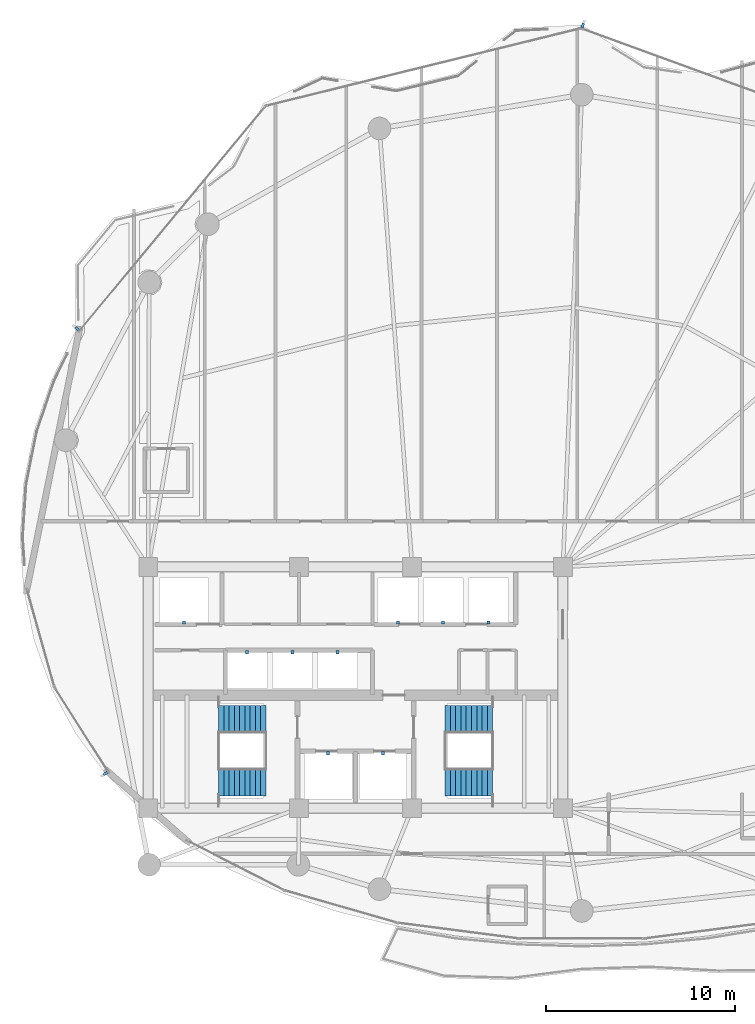
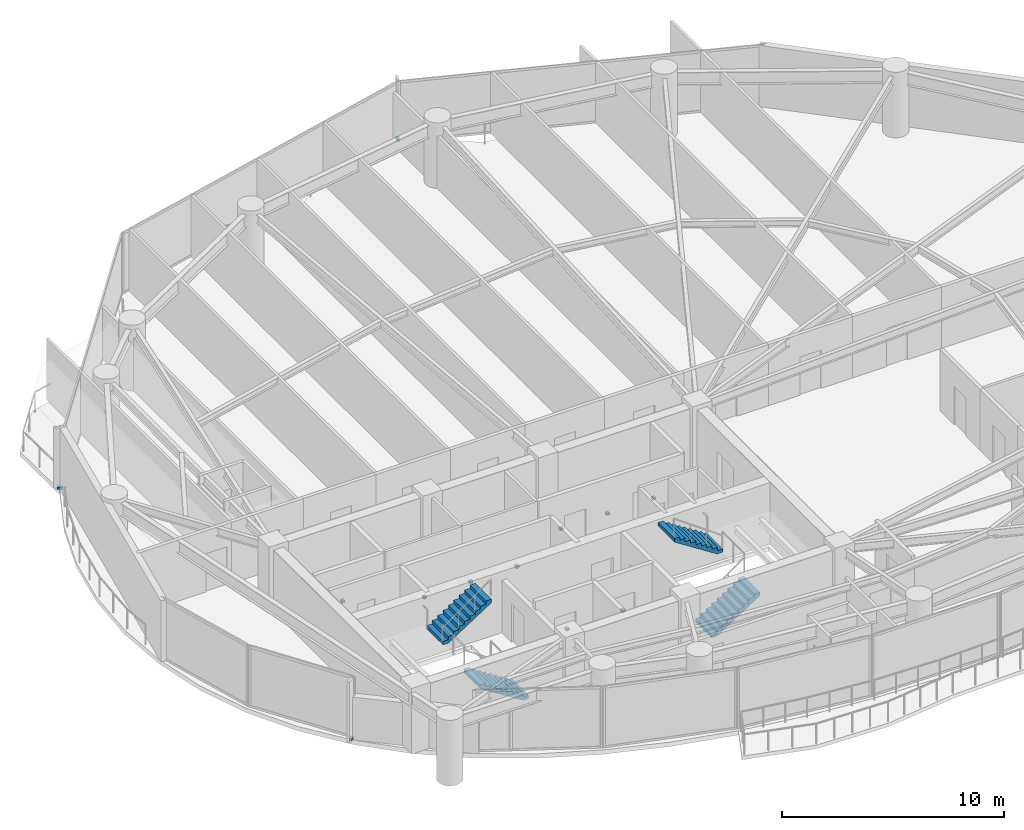
# One storey, part 25 of 28: 12 discrete accessories, 4 stair flights, 2 elements without a shape of their own.
"""IFC4 building model written with IfcOpenShell, lengths in metres."""

from ifc_helpers import new_model, si_unit, direction, frame, origin, origin_2d, place, context, subcontext, project, spatial, polyline, rectangle, outline, extrude, material, layer, layer_set, type_object, element, aggregate, save


model = new_model("IFC4")

# Units and contexts
model_context = context("Model", 3, precision=1e-05, world=origin(), true_north=direction((0.0, 1.0)))
body_context = subcontext(model_context, "Body", "Model", "MODEL_VIEW")
ifc_project = project(units=[si_unit("LENGTHUNIT", "METRE"), si_unit("AREAUNIT", "SQUARE_METRE"), si_unit("VOLUMEUNIT", "CUBIC_METRE"), si_unit("PLANEANGLEUNIT", "RADIAN"), si_unit("MASSUNIT", "GRAM", prefix="KILO")], contexts=[model_context])

# Site, building, storey
site_placement = place(None, origin())
site = spatial("IfcSite", under=ifc_project, at=site_placement, CompositionType="ELEMENT")
building_placement = place(site_placement, origin())
building = spatial("IfcBuilding", under=site, at=building_placement, Name="Kazevale Care Tower and Concert Hall", CompositionType="ELEMENT")
storey_placement = place(building_placement, frame((0.0, 0.0, 120.60009765625)))
storey = spatial("IfcBuildingStorey", under=building, at=storey_placement, Name="L31", CompositionType="ELEMENT", Elevation=120.60009765625)

# Stair, stair flights
ifc_material_1 = material(Name="Concrete C40", Category="concrete")
stair_type = type_object("IfcStairType", Name="Exit Stair Assembly ST1-Z2", PredefinedType="HALF_TURN_STAIR", material=ifc_material_1)
stair_1_placement = place(storey_placement, origin())
stair_1 = element("IfcStair", 1, at=stair_1_placement, inside=storey, type_object=stair_type, Name="stair:L31:ST1", PredefinedType="HALF_TURN_STAIR")
ifc_layer = layer(ifc_material_1, 0.159912109375)
ifc_layer_set = layer_set([ifc_layer], Name="Concrete C40")
stair_flight_type = type_object("IfcStairFlightType", Name="Exit Stair Flight ST1-Z2", PredefinedType="STRAIGHT", material=ifc_layer_set)
stair_flight_1_placement = place(storey_placement, frame((28.25, 24.97998046875, 0.0), z_axis=(0.0, 0.0, 1.0), x_axis=(-1.0, 0.0, 0.0)))
stair_flight_1 = element("IfcStairFlight", 2, at=stair_flight_1_placement, type_object=stair_flight_type, Name="ST1-Z2 flight 1", NumberOfRisers=10, NumberOfTreads=9, PredefinedType="STRAIGHT", RiserHeight=0.18, TreadLength=0.28, context=body_context, shape_type="SweptSolid", body=[
    extrude(outline(polyline([(0.0, 0.0), (0.0, 0.179931640625), (0.280029296875, 0.179931640625), (0.280029296875, 0.360107421875), (0.56005859375, 0.360107421875), (0.56005859375, 0.5400390625), (0.840087890625, 0.5400390625), (0.840087890625, 0.719970703125), (1.1201171875, 0.719970703125), (1.1201171875, 0.89990234375), (1.39990234375, 0.89990234375), (1.39990234375, 1.080078125), (1.679931640625, 1.080078125), (1.679931640625, 1.260009765625), (1.9599609375, 1.260009765625), (1.9599609375, 1.43994140625), (2.239990234375, 1.43994140625), (2.239990234375, 1.6201171875), (2.52001953125, 1.6201171875), (2.52001953125, 1.800048828125), (2.52001953125, 1.429931640625), (0.295654296875, 0.0), (0.0, 0.0)])), frame((0.0, 0.72998046875, 0.0), z_axis=(0.0, -1.0, 0.0), x_axis=(1.0, 0.0, 0.0)), (0.0, 0.0, 1.0), 1.4599609375),
])
stair_flight_2_placement = place(storey_placement, frame((25.72998046875, 28.320068359375, 1.7998046875), z_axis=(0.0, 0.0, 1.0), x_axis=(1.0, 0.0, 0.0)))
stair_flight_2 = element("IfcStairFlight", 3, at=stair_flight_2_placement, type_object=stair_flight_type, Name="ST1-Z2 flight 2", NumberOfRisers=10, NumberOfTreads=9, PredefinedType="STRAIGHT", RiserHeight=0.18, TreadLength=0.28, context=body_context, shape_type="SweptSolid", body=[
    extrude(outline(polyline([(0.0, 0.0), (0.0, 0.179931640625), (0.280029296875, 0.179931640625), (0.280029296875, 0.360107421875), (0.56005859375, 0.360107421875), (0.56005859375, 0.5400390625), (0.840087890625, 0.5400390625), (0.840087890625, 0.719970703125), (1.1201171875, 0.719970703125), (1.1201171875, 0.89990234375), (1.39990234375, 0.89990234375), (1.39990234375, 1.080078125), (1.679931640625, 1.080078125), (1.679931640625, 1.260009765625), (1.9599609375, 1.260009765625), (1.9599609375, 1.43994140625), (2.239990234375, 1.43994140625), (2.239990234375, 1.6201171875), (2.52001953125, 1.6201171875), (2.52001953125, 1.800048828125), (2.52001953125, 1.429931640625), (0.295654296875, 0.0), (0.0, 0.0)])), frame((0.0, 0.72998046875, 0.0), z_axis=(0.0, -1.0, 0.0), x_axis=(1.0, 0.0, 0.0)), (0.0, 0.0, 1.0), 1.4599609375),
])
aggregate(stair_1, [stair_flight_1, stair_flight_2])

stair_2_placement = place(storey_placement, origin())
stair_2 = element("IfcStair", 4, at=stair_2_placement, inside=storey, type_object=stair_type, Name="stair:L31:ST2", PredefinedType="HALF_TURN_STAIR")
stair_flight_3_placement = place(storey_placement, frame((37.75, 24.97998046875, 0.0), z_axis=(0.0, 0.0, 1.0), x_axis=(1.0, 0.0, 0.0)))
stair_flight_3 = element("IfcStairFlight", 5, at=stair_flight_3_placement, type_object=stair_flight_type, Name="ST1-Z2 flight 1", NumberOfRisers=10, NumberOfTreads=9, PredefinedType="STRAIGHT", RiserHeight=0.18, TreadLength=0.28, context=body_context, shape_type="SweptSolid", body=[
    extrude(outline(polyline([(0.0, 0.0), (0.0, 0.179931640625), (0.280029296875, 0.179931640625), (0.280029296875, 0.360107421875), (0.56005859375, 0.360107421875), (0.56005859375, 0.5400390625), (0.840087890625, 0.5400390625), (0.840087890625, 0.719970703125), (1.1201171875, 0.719970703125), (1.1201171875, 0.89990234375), (1.39990234375, 0.89990234375), (1.39990234375, 1.080078125), (1.679931640625, 1.080078125), (1.679931640625, 1.260009765625), (1.9599609375, 1.260009765625), (1.9599609375, 1.43994140625), (2.239990234375, 1.43994140625), (2.239990234375, 1.6201171875), (2.52001953125, 1.6201171875), (2.52001953125, 1.800048828125), (2.52001953125, 1.429931640625), (0.295654296875, 0.0), (0.0, 0.0)])), frame((0.0, 0.72998046875, 0.0), z_axis=(0.0, -1.0, 0.0), x_axis=(1.0, 0.0, 0.0)), (0.0, 0.0, 1.0), 1.4599609375),
])
stair_flight_4_placement = place(storey_placement, frame((40.27001953125, 28.320068359375, 1.7998046875), z_axis=(0.0, 0.0, 1.0), x_axis=(-1.0, 0.0, 0.0)))
stair_flight_4 = element("IfcStairFlight", 6, at=stair_flight_4_placement, type_object=stair_flight_type, Name="ST1-Z2 flight 2", NumberOfRisers=10, NumberOfTreads=9, PredefinedType="STRAIGHT", RiserHeight=0.18, TreadLength=0.28, context=body_context, shape_type="SweptSolid", body=[
    extrude(outline(polyline([(0.0, 0.0), (0.0, 0.179931640625), (0.280029296875, 0.179931640625), (0.280029296875, 0.360107421875), (0.56005859375, 0.360107421875), (0.56005859375, 0.5400390625), (0.840087890625, 0.5400390625), (0.840087890625, 0.719970703125), (1.1201171875, 0.719970703125), (1.1201171875, 0.89990234375), (1.39990234375, 0.89990234375), (1.39990234375, 1.080078125), (1.679931640625, 1.080078125), (1.679931640625, 1.260009765625), (1.9599609375, 1.260009765625), (1.9599609375, 1.43994140625), (2.239990234375, 1.43994140625), (2.239990234375, 1.6201171875), (2.52001953125, 1.6201171875), (2.52001953125, 1.800048828125), (2.52001953125, 1.429931640625), (0.295654296875, 0.0), (0.0, 0.0)])), frame((0.0, 0.72998046875, 0.0), z_axis=(0.0, -1.0, 0.0), x_axis=(1.0, 0.0, 0.0)), (0.0, 0.0, 1.0), 1.4599609375),
])
aggregate(stair_2, [stair_flight_3, stair_flight_4])

# Discrete accessories
ifc_material_2 = material(Name="Stainless Steel 316", Category="steel")
discrete_accessory_type_1 = type_object("IfcDiscreteAccessoryType", Name="Facade Fin Stainless Anchor Bracket BRK-1", PredefinedType="BRACKET", material=ifc_material_2)
for number, where, z_axis, x_axis, name in (
    (7, (19.739013671875, 25.4443359375, -0.000244140625), (0.0, 0.0, 1.0), (-0.843391445813, -0.537299608347, 0.0), "cw:L31:f11:brk"),
    (8, (18.2265625, 49.0322265625, -0.000244140625), (0.0, 0.0, 1.0), (-0.770068049148, 0.637961754089, 0.0), "cw:L31:f14:brk"),
    (9, (45.0478515625, 65.113037109375, -0.000244140625), (0.0, 0.0, 1.0), (0.343167938899, 0.939274063153, 0.0), "cw:L31:f16:brk"),
):
    element("IfcDiscreteAccessory", number, at=place(storey_placement, frame(where, z_axis=z_axis, x_axis=x_axis)), inside=storey, type_object=discrete_accessory_type_1, Name=name, PredefinedType="BRACKET", context=body_context, shape_type="SweptSolid", body=[
        extrude(rectangle(XDim=0.239990234375, YDim=0.139892578125, at=origin_2d()), origin(), (0.0, 0.0, 1.0), 0.1201171875),
    ])
discrete_accessory_type_2 = type_object("IfcDiscreteAccessoryType", Name="Hoistway Guide-Rail Wall Bracket HBRK-1", PredefinedType="BRACKET", material=ifc_material_2)
for number, where, z_axis, x_axis, name in (
    (10, (31.550048828125, 26.52001953125, 1.23974609375), (0.0, 0.0, 1.0), (1.0, 0.0, 0.0), "hbrk:FFL-1:L31"),
    (11, (34.449951171875, 26.52001953125, 1.23974609375), (0.0, 0.0, 1.0), (1.0, 0.0, 0.0), "hbrk:FFL-2:L31"),
    (12, (23.89990234375, 33.449951171875, 1.23974609375), (0.0, 0.0, 1.0), (1.0, 0.0, 0.0), "hbrk:SVL-1:L31"),
    (13, (35.25, 33.449951171875, 1.23974609375), (0.0, 0.0, 1.0), (1.0, 0.0, 0.0), "hbrk:PM-1:L31"),
    (14, (37.64990234375, 33.449951171875, 1.23974609375), (0.0, 0.0, 1.0), (1.0, 0.0, 0.0), "hbrk:PM-2:L31"),
    (15, (40.050048828125, 33.449951171875, 1.23974609375), (0.0, 0.0, 1.0), (1.0, 0.0, 0.0), "hbrk:PM-3:L31"),
    (16, (27.25, 31.8798828125, 1.23974609375), (0.0, 0.0, 1.0), (1.0, 0.0, 0.0), "hbrk:PH-1:L31"),
    (17, (29.64990234375, 31.8798828125, 1.23974609375), (0.0, 0.0, 1.0), (1.0, 0.0, 0.0), "hbrk:PH-2:L31"),
    (18, (32.050048828125, 31.8798828125, 1.23974609375), (0.0, 0.0, 1.0), (1.0, 0.0, 0.0), "hbrk:PH-3:L31"),
):
    element("IfcDiscreteAccessory", number, at=place(storey_placement, frame(where, z_axis=z_axis, x_axis=x_axis)), inside=storey, type_object=discrete_accessory_type_2, Name=name, PredefinedType="BRACKET", context=body_context, shape_type="SweptSolid", body=[
        extrude(rectangle(XDim=0.159912109375, YDim=0.179931640625, at=origin_2d()), origin(), (0.0, 0.0, 1.0), 0.1201171875),
    ])

save(model, "model.ifc")
